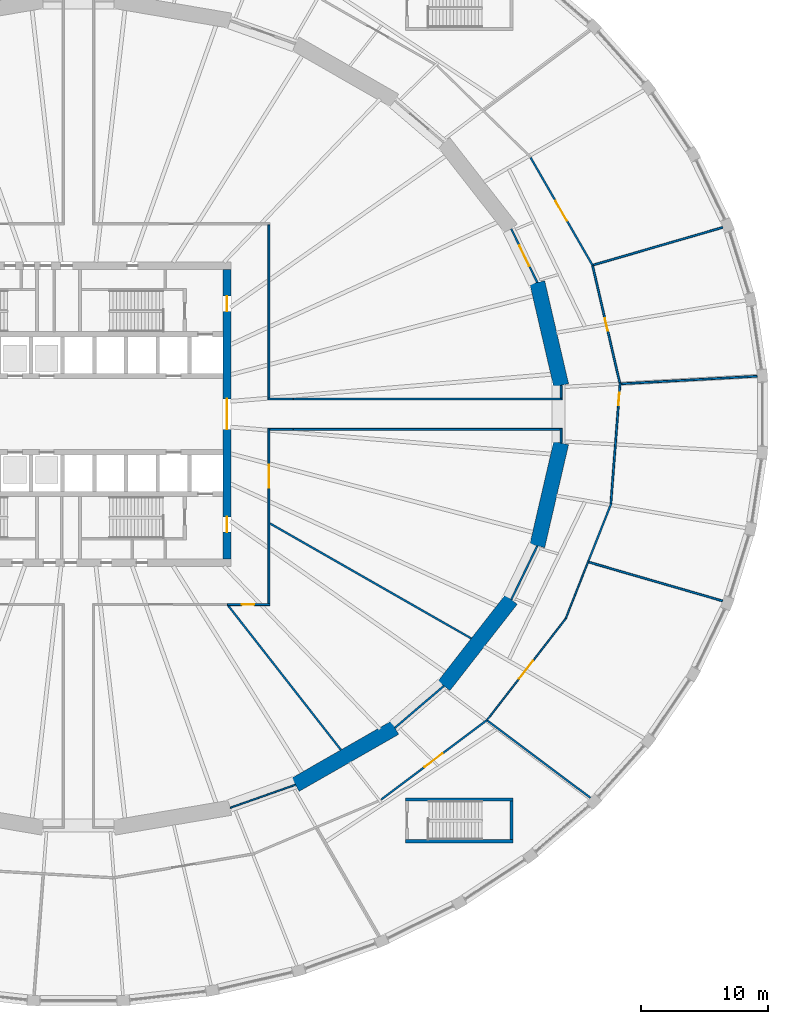
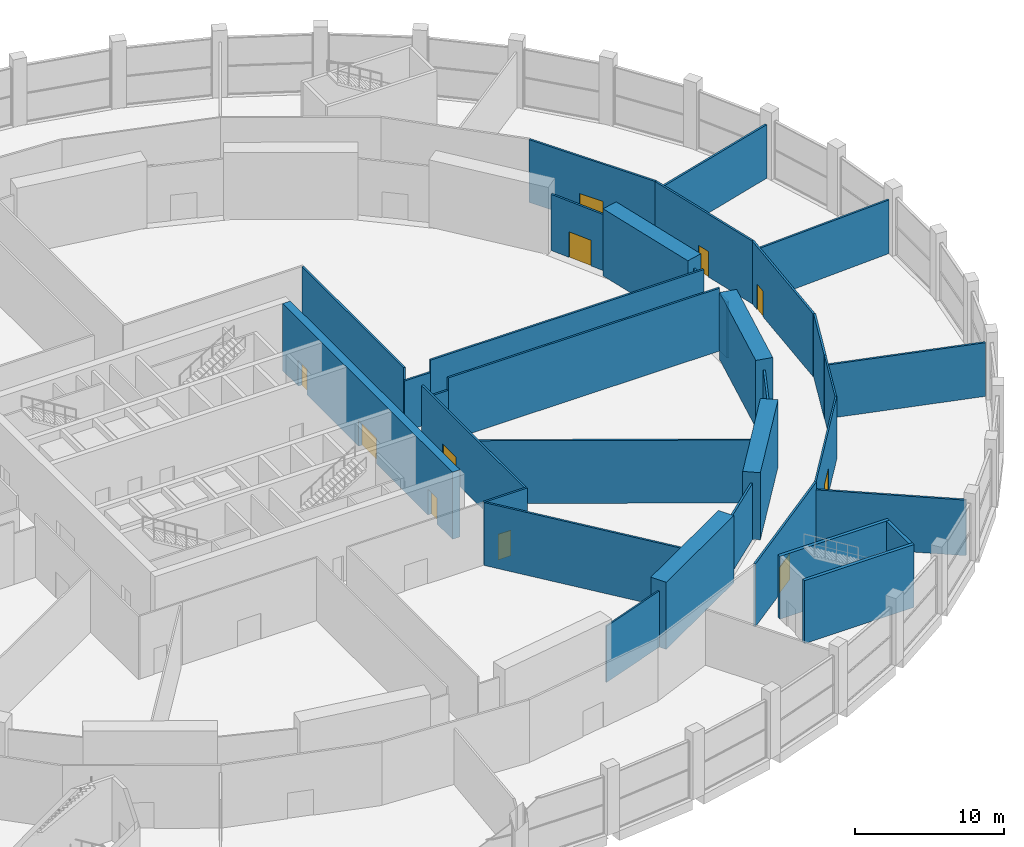
# One storey, part 24 of 29: 34 walls, 11 doors, 11 openings.
"""IFC4 building model written with IfcOpenShell, lengths in metres."""

from ifc_helpers import new_model, si_unit, direction, frame, frame_2d, origin, place, context, subcontext, project, spatial, polyline, rectangle, outline, extrude, material, layer, layer_set, type_object, element, fill, save


model = new_model("IFC4")

# Units and contexts
model_context = context("Model", 3, precision=1e-05, world=origin(), true_north=direction((0.0, 1.0)))
body_context = subcontext(model_context, "Body", "Model", "MODEL_VIEW")
ifc_project = project(units=[si_unit("LENGTHUNIT", "METRE"), si_unit("AREAUNIT", "SQUARE_METRE"), si_unit("VOLUMEUNIT", "CUBIC_METRE"), si_unit("PLANEANGLEUNIT", "RADIAN"), si_unit("MASSUNIT", "GRAM", prefix="KILO")], contexts=[model_context])

# Site, building, storey
site_placement = place(None, origin())
site = spatial("IfcSite", under=ifc_project, at=site_placement, CompositionType="ELEMENT")
building_placement = place(site_placement, origin())
building = spatial("IfcBuilding", under=site, at=building_placement, Name="Halqa Exchange Tower", CompositionType="ELEMENT")
storey_placement = place(building_placement, frame((0.0, 0.0, 7.0)))
storey = spatial("IfcBuildingStorey", under=building, at=storey_placement, Name="L01", CompositionType="ELEMENT", Elevation=7.0)

# Wall
ifc_material_1 = material(Name="Fire-rated gypsum board")
ifc_layer_1 = layer(ifc_material_1, 0.14990234375)
ifc_layer_set_1 = layer_set([ifc_layer_1], Name="Fire-rated gypsum board")
wall_type_1 = type_object("IfcWallType", Name="Fire partition EI 60 150", PredefinedType="PARTITIONING", material=ifc_layer_set_1)
wall_1_placement = place(storey_placement, frame((11.77685546875, -15.06005859375, 0.0), z_axis=(0.0, 0.0, 1.0), x_axis=(0.615846879826, -0.787865864604, 0.0)))
element("IfcWall", 1, at=wall_1_placement, inside=storey, type_object=wall_type_1, Name="L01-PWL-055", PredefinedType="PARTITIONING", context=body_context, shape_type="SweptSolid", body=[
    extrude(outline(polyline([(0.0, -0.074951171875), (14.44580078125, -0.074951171875), (14.46728515625, 0.074951171875), (0.0, 0.074951171875), (0.0, -0.074951171875)])), origin(), (0.0, 0.0, 1.0), 5.14990234375),
])

# Wall, opening, door
wall_2_placement = place(storey_placement, frame((15.074951171875, -15.0, 0.0), z_axis=(0.0, 0.0, 1.0), x_axis=(-1.0, 0.0, 0.0)))
wall_2 = element("IfcWall", 2, at=wall_2_placement, inside=storey, type_object=wall_type_1, Name="L01-PWL-059", PredefinedType="PARTITIONING", context=body_context, shape_type="SweptSolid", body=[
    extrude(rectangle(XDim=3.344970703125, YDim=0.14990234375, at=frame_2d((1.67236328125, 0.0))), origin(), (0.0, 0.0, 1.0), 5.14990234375),
])
opening_1_placement = place(wall_2_placement, frame((1.22509765625, 0.0, 0.0)))
opening_1 = element("IfcOpeningElement", 3, at=opening_1_placement, cuts=wall_2, Name="Opening L01-12", PredefinedType="OPENING", context=body_context, shape_type="SweptSolid", body=[
    extrude(rectangle(XDim=1.0, YDim=2.10009765625, at=frame_2d((0.5, 1.050048828125))), frame((0.0, 0.0869140625, 0.0), z_axis=(0.0, -1.0, 0.0), x_axis=(1.0, 0.0, 0.0)), (0.0, 0.0, 1.0), 0.173828125),
])
ifc_material_2 = material(Name="Steel fire door leaf", Category="steel")
door_type_1 = type_object("IfcDoorType", Name="Fire door FD30S 1000 x 2100", OperationType="SINGLE_SWING_LEFT", PredefinedType="DOOR", material=ifc_material_2)
door_1_placement = place(opening_1_placement, origin())
door_1 = element("IfcDoor", 4, at=door_1_placement, inside=storey, type_object=door_type_1, Name="L01-IDR-012", OperationType="SINGLE_SWING_LEFT", OverallHeight=2.10009765625, OverallWidth=1.0, PredefinedType="DOOR", context=body_context, shape_type="SweptSolid", body=[
    extrude(rectangle(XDim=1.0, YDim=2.10009765625, at=frame_2d((0.5, 1.050048828125))), frame((0.0, 0.02490234375, 0.0), z_axis=(0.0, -1.0, 0.0), x_axis=(1.0, 0.0, 0.0)), (0.0, 0.0, 1.0), 0.050048828125),
])
fill(opening_1, door_1)

wall_3_placement = place(storey_placement, frame((15.0, -14.925048828125, 0.0), z_axis=(0.0, 0.0, 1.0), x_axis=(0.0, 1.0, 0.0)))
wall_3 = element("IfcWall", 5, at=wall_3_placement, inside=storey, type_object=wall_type_1, Name="L01-PWL-060", PredefinedType="PARTITIONING", context=body_context, shape_type="SweptSolid", body=[
    extrude(rectangle(XDim=13.800048828125, YDim=0.14990234375, at=frame_2d((6.89990234375, 0.0))), origin(), (0.0, 0.0, 1.0), 5.14990234375),
])
opening_2_placement = place(wall_3_placement, frame((9.142578125, 0.0, 0.0)))
opening_2 = element("IfcOpeningElement", 6, at=opening_2_placement, cuts=wall_3, Name="Opening L01-13", PredefinedType="OPENING", context=body_context, shape_type="SweptSolid", body=[
    extrude(rectangle(XDim=1.800048828125, YDim=2.10009765625, at=frame_2d((0.89990234375, 1.050048828125))), frame((0.0, 0.0869140625, 0.0), z_axis=(0.0, -1.0, 0.0), x_axis=(1.0, 0.0, 0.0)), (0.0, 0.0, 1.0), 0.173828125),
])
door_type_2 = type_object("IfcDoorType", Name="Fire door FD30S double 1800 x 2100", OperationType="DOUBLE_DOOR_SINGLE_SWING", PredefinedType="DOOR", material=ifc_material_2)
door_2_placement = place(opening_2_placement, frame((1.800048828125, 0.0, 0.0), z_axis=(0.0, 0.0, 1.0), x_axis=(-1.0, 0.0, 0.0)))
door_2 = element("IfcDoor", 7, at=door_2_placement, inside=storey, type_object=door_type_2, Name="L01-IDR-013", OperationType="DOUBLE_DOOR_SINGLE_SWING", OverallHeight=2.10009765625, OverallWidth=1.800048828125, PredefinedType="DOOR", context=body_context, shape_type="SweptSolid", body=[
    extrude(rectangle(XDim=1.800048828125, YDim=2.10009765625, at=frame_2d((0.89990234375, 1.050048828125))), frame((0.0, 0.02490234375, 0.0), z_axis=(0.0, -1.0, 0.0), x_axis=(1.0, 0.0, 0.0)), (0.0, 0.0, 1.0), 0.050048828125),
])
fill(opening_2, door_2)

# Walls
wall_4_placement = place(storey_placement, frame((15.07421875, -8.602294921875, 0.0), z_axis=(0.0, 0.0, 1.0), x_axis=(0.868343386691, -0.495963469209, 0.0)))
element("IfcWall", 8, at=wall_4_placement, inside=storey, type_object=wall_type_1, Name="L01-PWL-061", PredefinedType="PARTITIONING", context=body_context, shape_type="SweptSolid", body=[
    extrude(outline(polyline([(0.042724609375, -0.074951171875), (18.270751953125, -0.074951171875), (18.292236328125, 0.074951171875), (-0.042724609375, 0.074951171875), (0.042724609375, -0.074951171875)])), origin(), (0.0, 0.0, 1.0), 5.14990234375),
])
wall_5_placement = place(storey_placement, frame((14.925048828125, 1.199951171875, 0.0), z_axis=(0.0, 0.0, 1.0), x_axis=(1.0, 0.0, 0.0)))
element("IfcWall", 9, at=wall_5_placement, inside=storey, type_object=wall_type_1, Name="L01-PWL-062", PredefinedType="PARTITIONING", context=body_context, shape_type="SweptSolid", body=[
    extrude(rectangle(XDim=1.992919921875, YDim=0.14990234375, at=frame_2d((0.99658203125, 0.0))), origin(), (0.0, 0.0, 1.0), 4.14208984375),
])
wall_6_placement = place(storey_placement, frame((15.0, 14.925048828125, 0.0), z_axis=(0.0, 0.0, 1.0), x_axis=(0.0, -1.0, 0.0)))
element("IfcWall", 10, at=wall_6_placement, inside=storey, type_object=wall_type_1, Name="L01-PWL-063", PredefinedType="PARTITIONING", context=body_context, shape_type="SweptSolid", body=[
    extrude(rectangle(XDim=13.650146484375, YDim=0.14990234375, at=frame_2d((6.8251953125, 0.0))), origin(), (0.0, 0.0, 1.0), 5.14990234375),
])
wall_7_placement = place(storey_placement, frame((24.931884765625, -24.70849609375, 0.0), z_axis=(0.0, 0.0, 1.0), x_axis=(0.760084552743, 0.649824185978, 0.0)))
element("IfcWall", 11, at=wall_7_placement, inside=storey, type_object=wall_type_1, Name="L01-PWL-068", PredefinedType="PARTITIONING", context=body_context, shape_type="SweptSolid", body=[
    extrude(outline(polyline([(-0.01416015625, -0.074951171875), (5.09033203125, -0.074951171875), (5.0595703125, 0.074951171875), (0.01416015625, 0.074951171875), (-0.01416015625, -0.074951171875)])), origin(), (0.0, 0.0, 1.0), 4.60009765625),
])

# Wall, opening, door
wall_8_placement = place(storey_placement, frame((32.184326171875, -24.09912109375, 0.0), z_axis=(0.0, 0.0, 1.0), x_axis=(-0.799200371747, -0.601064693523, 0.0)))
wall_8 = element("IfcWall", 12, at=wall_8_placement, inside=storey, type_object=wall_type_1, Name="L01-PWL-071", PredefinedType="PARTITIONING", context=body_context, shape_type="SweptSolid", body=[
    extrude(rectangle(XDim=10.41455078125, YDim=0.14990234375, at=frame_2d((5.207275390625, 0.0))), origin(), (0.0, 0.0, 1.0), 5.14990234375),
])
opening_3_placement = place(wall_8_placement, frame((4.366943359375, 0.0, 0.0)))
opening_3 = element("IfcOpeningElement", 13, at=opening_3_placement, cuts=wall_8, Name="Opening L01-17", PredefinedType="OPENING", context=body_context, shape_type="SweptSolid", body=[
    extrude(rectangle(XDim=1.800048828125, YDim=2.10009765625, at=frame_2d((0.89990234375, 1.050048828125))), frame((0.0, 0.0869140625, 0.0), z_axis=(0.0, -1.0, 0.0), x_axis=(1.0, 0.0, 0.0)), (0.0, 0.0, 1.0), 0.173828125),
])
door_3_placement = place(opening_3_placement, origin())
door_3 = element("IfcDoor", 14, at=door_3_placement, inside=storey, type_object=door_type_2, Name="L01-IDR-017", OperationType="DOUBLE_DOOR_SINGLE_SWING", OverallHeight=2.10009765625, OverallWidth=1.800048828125, PredefinedType="DOOR", context=body_context, shape_type="SweptSolid", body=[
    extrude(rectangle(XDim=1.800048828125, YDim=2.10009765625, at=frame_2d((0.89990234375, 1.050048828125))), frame((0.0, 0.02490234375, 0.0), z_axis=(0.0, -1.0, 0.0), x_axis=(1.0, 0.0, 0.0)), (0.0, 0.0, 1.0), 0.050048828125),
])
fill(opening_3, door_3)

# Walls
wall_9_placement = place(storey_placement, frame((32.219970703125, -24.1474609375, 0.0), z_axis=(0.0, 0.0, 1.0), x_axis=(0.800470661187, -0.599371938431, 0.0)))
element("IfcWall", 15, at=wall_9_placement, inside=storey, type_object=wall_type_1, Name="L01-PWL-072", PredefinedType="PARTITIONING", context=body_context, shape_type="SweptSolid", body=[
    extrude(outline(polyline([(0.0, -0.074951171875), (10.129150390625, -0.074951171875), (10.152587890625, 0.074951171875), (0.0, 0.074951171875), (0.0, -0.074951171875)])), origin(), (0.0, 0.0, 1.0), 4.550048828125),
])
wall_10_placement = place(storey_placement, frame((34.1005859375, -14.608642578125, 0.0), z_axis=(0.0, 0.0, 1.0), x_axis=(0.436102687495, 0.899896908518, 0.0)))
element("IfcWall", 16, at=wall_10_placement, inside=storey, type_object=wall_type_1, Name="L01-PWL-073", PredefinedType="PARTITIONING", context=body_context, shape_type="SweptSolid", body=[
    extrude(outline(polyline([(-0.01611328125, -0.074951171875), (4.71630859375, -0.074951171875), (4.68212890625, 0.074951171875), (0.01611328125, 0.074951171875), (-0.01611328125, -0.074951171875)])), origin(), (0.0, 0.0, 1.0), 4.60009765625),
])

# Wall, opening, door
wall_11_placement = place(storey_placement, frame((35.623779296875, 20.21630859375, 0.0), z_axis=(0.0, 0.0, 1.0), x_axis=(0.498658302921, -0.866798648434, 0.0)))
wall_11 = element("IfcWall", 17, at=wall_11_placement, inside=storey, type_object=wall_type_1, Name="L01-PWL-074", PredefinedType="PARTITIONING", context=body_context, shape_type="SweptSolid", body=[
    extrude(rectangle(XDim=9.8017578125, YDim=0.14990234375, at=frame_2d((4.90087890625, 0.0))), origin(), (0.0, 0.0, 1.0), 5.14990234375),
])
opening_4_placement = place(wall_11_placement, frame((3.935302734375, 0.0, 0.0)))
opening_4 = element("IfcOpeningElement", 18, at=opening_4_placement, cuts=wall_11, Name="Opening L01-19", PredefinedType="OPENING", context=body_context, shape_type="SweptSolid", body=[
    extrude(rectangle(XDim=1.800048828125, YDim=2.10009765625, at=frame_2d((0.89990234375, 1.050048828125))), frame((0.0, 0.0869140625, 0.0), z_axis=(0.0, -1.0, 0.0), x_axis=(1.0, 0.0, 0.0)), (0.0, 0.0, 1.0), 0.173828125),
])
door_4_placement = place(opening_4_placement, origin())
door_4 = element("IfcDoor", 19, at=door_4_placement, inside=storey, type_object=door_type_2, Name="L01-IDR-019", OperationType="DOUBLE_DOOR_SINGLE_SWING", OverallHeight=2.10009765625, OverallWidth=1.800048828125, PredefinedType="DOOR", context=body_context, shape_type="SweptSolid", body=[
    extrude(rectangle(XDim=1.800048828125, YDim=2.10009765625, at=frame_2d((0.89990234375, 1.050048828125))), frame((0.0, 0.02490234375, 0.0), z_axis=(0.0, -1.0, 0.0), x_axis=(1.0, 0.0, 0.0)), (0.0, 0.0, 1.0), 0.050048828125),
])
fill(opening_4, door_4)

wall_12_placement = place(storey_placement, frame((36.14990234375, 10.3798828125, 0.0), z_axis=(0.0, 0.0, 1.0), x_axis=(-0.436936398764, 0.899492403212, 0.0)))
wall_12 = element("IfcWall", 20, at=wall_12_placement, inside=storey, type_object=wall_type_1, Name="L01-PWL-075", PredefinedType="PARTITIONING", context=body_context, shape_type="SweptSolid", body=[
    extrude(outline(polyline([(-0.01708984375, -0.074951171875), (4.7138671875, -0.074951171875), (4.68212890625, 0.074951171875), (0.01708984375, 0.074951171875), (-0.01708984375, -0.074951171875)])), origin(), (0.0, 0.0, 1.0), 4.60009765625),
])
opening_5_placement = place(wall_12_placement, frame((1.44580078125, 0.0, 0.0)))
opening_5 = element("IfcOpeningElement", 21, at=opening_5_placement, cuts=wall_12, Name="Opening L01-02", PredefinedType="OPENING", context=body_context, shape_type="SweptSolid", body=[
    extrude(rectangle(XDim=1.800048828125, YDim=2.10009765625, at=frame_2d((0.89990234375, 1.050048828125))), frame((0.0, 0.0869140625, 0.0), z_axis=(0.0, -1.0, 0.0), x_axis=(1.0, 0.0, 0.0)), (0.0, 0.0, 1.0), 0.173828125),
])
door_5_placement = place(opening_5_placement, origin())
door_5 = element("IfcDoor", 22, at=door_5_placement, inside=storey, type_object=door_type_2, Name="L01-IDR-002", OperationType="DOUBLE_DOOR_SINGLE_SWING", OverallHeight=2.10009765625, OverallWidth=1.800048828125, PredefinedType="DOOR", context=body_context, shape_type="SweptSolid", body=[
    extrude(rectangle(XDim=1.800048828125, YDim=2.10009765625, at=frame_2d((0.89990234375, 1.050048828125))), frame((0.0, 0.02490234375, 0.0), z_axis=(0.0, -1.0, 0.0), x_axis=(1.0, 0.0, 0.0)), (0.0, 0.0, 1.0), 0.050048828125),
])
fill(opening_5, door_5)

# Walls
wall_13_placement = place(storey_placement, frame((38.030029296875, -2.267578125, 0.0), z_axis=(0.0, 0.0, 1.0), x_axis=(0.0, 1.0, 0.0)))
element("IfcWall", 23, at=wall_13_placement, inside=storey, type_object=wall_type_1, Name="L01-PWL-076", PredefinedType="PARTITIONING", context=body_context, shape_type="SweptSolid", body=[
    extrude(outline(polyline([(-0.017333984375, -0.074951171875), (1.142578125, -0.074951171875), (1.142578125, 0.074951171875), (0.017333984375, 0.074951171875), (-0.017333984375, -0.074951171875)])), origin(), (0.0, 0.0, 1.0), 4.60009765625),
])
wall_14_placement = place(storey_placement, frame((37.955078125, -1.199951171875, 0.0), z_axis=(0.0, 0.0, 1.0), x_axis=(-1.0, 0.0, 0.0)))
element("IfcWall", 24, at=wall_14_placement, inside=storey, type_object=wall_type_1, Name="L01-PWL-077", PredefinedType="PARTITIONING", context=body_context, shape_type="SweptSolid", body=[
    extrude(rectangle(XDim=21.037109375, YDim=0.14990234375, at=frame_2d((10.5185546875, 0.0))), origin(), (0.0, 0.0, 1.0), 5.14990234375),
])
wall_15_placement = place(storey_placement, frame((38.030029296875, 1.27490234375, 0.0), z_axis=(0.0, 0.0, 1.0), x_axis=(0.0, 1.0, 0.0)))
element("IfcWall", 25, at=wall_15_placement, inside=storey, type_object=wall_type_1, Name="L01-PWL-078", PredefinedType="PARTITIONING", context=body_context, shape_type="SweptSolid", body=[
    extrude(outline(polyline([(0.0, -0.074951171875), (1.010009765625, -0.074951171875), (0.975341796875, 0.074951171875), (0.0, 0.074951171875), (0.0, -0.074951171875)])), origin(), (0.0, 0.0, 1.0), 4.60009765625),
])
wall_16_placement = place(storey_placement, frame((40.14990234375, -11.639892578125, 0.0), z_axis=(0.0, 0.0, 1.0), x_axis=(0.36892788281, 0.929458023412, 0.0)))
element("IfcWall", 26, at=wall_16_placement, inside=storey, type_object=wall_type_1, Name="L01-PWL-081", PredefinedType="PARTITIONING", context=body_context, shape_type="SweptSolid", body=[
    extrude(rectangle(XDim=4.959228515625, YDim=0.14990234375, at=frame_2d((2.4794921875, 0.0))), origin(), (0.0, 0.0, 1.0), 5.14990234375),
])
wall_17_placement = place(storey_placement, frame((40.2080078125, -11.65673828125, 0.0), z_axis=(0.0, 0.0, 1.0), x_axis=(0.960435730908, -0.278501717759, 0.0)))
element("IfcWall", 27, at=wall_17_placement, inside=storey, type_object=wall_type_1, Name="L01-PWL-082", PredefinedType="PARTITIONING", context=body_context, shape_type="SweptSolid", body=[
    extrude(outline(polyline([(0.0, -0.074951171875), (10.9892578125, -0.074951171875), (11.00341796875, 0.074951171875), (0.0, 0.074951171875), (0.0, -0.074951171875)])), origin(), (0.0, 0.0, 1.0), 4.39697265625),
])

# Wall, opening, door
wall_18_placement = place(storey_placement, frame((40.50537109375, 11.717041015625, 0.0), z_axis=(0.0, 0.0, 1.0), x_axis=(0.226066375297, -0.974111900122, 0.0)))
wall_18 = element("IfcWall", 28, at=wall_18_placement, inside=storey, type_object=wall_type_1, Name="L01-PWL-084", PredefinedType="PARTITIONING", context=body_context, shape_type="SweptSolid", body=[
    extrude(rectangle(XDim=9.601806640625, YDim=0.14990234375, at=frame_2d((4.80078125, 0.0))), origin(), (0.0, 0.0, 1.0), 5.14990234375),
])
opening_6_placement = place(wall_18_placement, frame((4.27587890625, 0.0, 0.0)))
opening_6 = element("IfcOpeningElement", 29, at=opening_6_placement, cuts=wall_18, Name="Opening L01-18", PredefinedType="OPENING", context=body_context, shape_type="SweptSolid", body=[
    extrude(rectangle(XDim=1.0, YDim=2.10009765625, at=frame_2d((0.5, 1.050048828125))), frame((0.0, 0.0869140625, 0.0), z_axis=(0.0, -1.0, 0.0), x_axis=(1.0, 0.0, 0.0)), (0.0, 0.0, 1.0), 0.173828125),
])
door_6_placement = place(opening_6_placement, origin())
door_6 = element("IfcDoor", 30, at=door_6_placement, inside=storey, type_object=door_type_1, Name="L01-IDR-018", OperationType="SINGLE_SWING_LEFT", OverallHeight=2.10009765625, OverallWidth=1.0, PredefinedType="DOOR", context=body_context, shape_type="SweptSolid", body=[
    extrude(rectangle(XDim=1.0, YDim=2.10009765625, at=frame_2d((0.5, 1.050048828125))), frame((0.0, 0.02490234375, 0.0), z_axis=(0.0, -1.0, 0.0), x_axis=(1.0, 0.0, 0.0)), (0.0, 0.0, 1.0), 0.050048828125),
])
fill(opening_6, door_6)

# Wall
wall_19_placement = place(storey_placement, frame((40.573486328125, 11.76123046875, 0.0), z_axis=(0.0, 0.0, 1.0), x_axis=(0.960398251087, 0.278630937459, 0.0)))
element("IfcWall", 31, at=wall_19_placement, inside=storey, type_object=wall_type_1, Name="L01-PWL-085", PredefinedType="PARTITIONING", context=body_context, shape_type="SweptSolid", body=[
    extrude(outline(polyline([(0.0, -0.074951171875), (10.623291015625, -0.074951171875), (10.609130859375, 0.074951171875), (0.0, 0.074951171875), (0.0, -0.074951171875)])), origin(), (0.0, 0.0, 1.0), 4.39697265625),
])

# Wall, opening, door
wall_20_placement = place(storey_placement, frame((41.948486328125, -7.018798828125, 0.0), z_axis=(0.0, 0.0, 1.0), x_axis=(0.076460967433, 0.997072575322, 0.0)))
wall_20 = element("IfcWall", 32, at=wall_20_placement, inside=storey, type_object=wall_type_1, Name="L01-PWL-086", PredefinedType="PARTITIONING", context=body_context, shape_type="SweptSolid", body=[
    extrude(rectangle(XDim=9.511962890625, YDim=0.14990234375, at=frame_2d((4.755859375, 0.0))), origin(), (0.0, 0.0, 1.0), 5.14990234375),
])
opening_7_placement = place(wall_20_placement, frame((7.73779296875, 0.0, 0.0)))
opening_7 = element("IfcOpeningElement", 33, at=opening_7_placement, cuts=wall_20, Name="Opening L01-28", PredefinedType="OPENING", context=body_context, shape_type="SweptSolid", body=[
    extrude(rectangle(XDim=1.0, YDim=2.10009765625, at=frame_2d((0.5, 1.050048828125))), frame((0.0, 0.0869140625, 0.0), z_axis=(0.0, -1.0, 0.0), x_axis=(1.0, 0.0, 0.0)), (0.0, 0.0, 1.0), 0.173828125),
])
door_7_placement = place(opening_7_placement, frame((1.0, 0.0, 0.0), z_axis=(0.0, 0.0, 1.0), x_axis=(-1.0, 0.0, 0.0)))
door_7 = element("IfcDoor", 34, at=door_7_placement, inside=storey, type_object=door_type_1, Name="L01-IDR-028", OperationType="SINGLE_SWING_RIGHT", OverallHeight=2.10009765625, OverallWidth=1.0, PredefinedType="DOOR", context=body_context, shape_type="SweptSolid", body=[
    extrude(rectangle(XDim=1.0, YDim=2.10009765625, at=frame_2d((0.5, 1.050048828125))), frame((0.0, 0.02490234375, 0.0), z_axis=(0.0, -1.0, 0.0), x_axis=(1.0, 0.0, 0.0)), (0.0, 0.0, 1.0), 0.050048828125),
])
fill(opening_7, door_7)

# Walls
wall_21_placement = place(storey_placement, frame((53.48681640625, 2.991943359375, 0.0), z_axis=(0.0, 0.0, 1.0), x_axis=(-0.998455601215, -0.055555489403, 0.0)))
element("IfcWall", 35, at=wall_21_placement, inside=storey, type_object=wall_type_1, Name="L01-PWL-087", PredefinedType="PARTITIONING", context=body_context, shape_type="SweptSolid", body=[
    extrude(outline(polyline([(0.00146484375, -0.074951171875), (10.7578125, -0.074951171875), (10.7578125, 0.074951171875), (-0.00146484375, 0.074951171875), (0.00146484375, -0.074951171875)])), origin(), (0.0, 0.0, 1.0), 4.39697265625),
])
wall_22_placement = place(storey_placement, frame((16.91796875, 1.199951171875, 0.0), z_axis=(0.0, 0.0, 1.0), x_axis=(1.0, 0.0, 0.0)))
element("IfcWall", 36, at=wall_22_placement, inside=storey, type_object=wall_type_1, Name="L01-PWL-090", PredefinedType="PARTITIONING", context=body_context, shape_type="SweptSolid", body=[
    extrude(rectangle(XDim=21.18701171875, YDim=0.14990234375, at=frame_2d((10.593505859375, 0.0))), origin(), (0.0, 0.0, 1.0), 5.14990234375),
])
wall_23_placement = place(storey_placement, frame((16.91796875, -1.199951171875, 0.0), z_axis=(0.0, 0.0, 1.0), x_axis=(-1.0, 0.0, 0.0)))
element("IfcWall", 37, at=wall_23_placement, inside=storey, type_object=wall_type_1, Name="L01-PWL-091", PredefinedType="PARTITIONING", context=body_context, shape_type="SweptSolid", body=[
    extrude(rectangle(XDim=1.843017578125, YDim=0.14990234375, at=frame_2d((0.92138671875, 0.0))), origin(), (0.0, 0.0, 1.0), 4.14208984375),
])
ifc_material_3 = material(Name="Fire-rated glazing", Category="glass")
ifc_layer_2 = layer(ifc_material_3, 0.1201171875)
ifc_layer_set_2 = layer_set([ifc_layer_2], Name="Fire-rated glazing")
wall_type_2 = type_object("IfcWallType", Name="Glazed fire partition EI 60 120", PredefinedType="PARTITIONING", material=ifc_layer_set_2)
wall_24_placement = place(storey_placement, frame((11.966796875, -31.01123046875, 0.0), z_axis=(0.0, 0.0, 1.0), x_axis=(0.942814385805, 0.333318217204, 0.0)))
element("IfcWall", 38, at=wall_24_placement, inside=storey, type_object=wall_type_2, Name="L01-PWL-056", PredefinedType="PARTITIONING", context=body_context, shape_type="SweptSolid", body=[
    extrude(outline(polyline([(-0.01025390625, -0.06005859375), (5.44580078125, -0.06005859375), (5.423828125, 0.06005859375), (0.01025390625, 0.06005859375), (-0.01025390625, -0.06005859375)])), origin(), (0.0, 0.0, 1.0), 4.60009765625),
])

# Wall, opening, door
wall_25_placement = place(storey_placement, frame((38.410888671875, -16.094482421875, 0.0), z_axis=(0.0, 0.0, 1.0), x_axis=(-0.614343896728, -0.78903838725, 0.0)))
wall_25 = element("IfcWall", 39, at=wall_25_placement, inside=storey, type_object=wall_type_2, Name="L01-PWL-079", PredefinedType="PARTITIONING", context=body_context, shape_type="SweptSolid", body=[
    extrude(rectangle(XDim=10.140380859375, YDim=0.1201171875, at=frame_2d((5.0703125, 0.0))), origin(), (0.0, 0.0, 1.0), 5.14990234375),
])
opening_8_placement = place(wall_25_placement, frame((4.220703125, 0.0, 0.0)))
opening_8 = element("IfcOpeningElement", 40, at=opening_8_placement, cuts=wall_25, Name="Opening L01-27", PredefinedType="OPENING", context=body_context, shape_type="SweptSolid", body=[
    extrude(rectangle(XDim=1.800048828125, YDim=2.10009765625, at=frame_2d((0.89990234375, 1.050048828125))), frame((0.0, 0.072021484375, 0.0), z_axis=(0.0, -1.0, 0.0), x_axis=(1.0, 0.0, 0.0)), (0.0, 0.0, 1.0), 0.14404296875),
])
door_8_placement = place(opening_8_placement, origin())
door_8 = element("IfcDoor", 41, at=door_8_placement, inside=storey, type_object=door_type_2, Name="L01-IDR-027", OperationType="DOUBLE_DOOR_SINGLE_SWING", OverallHeight=2.10009765625, OverallWidth=1.800048828125, PredefinedType="DOOR", context=body_context, shape_type="SweptSolid", body=[
    extrude(rectangle(XDim=1.800048828125, YDim=2.10009765625, at=frame_2d((0.89990234375, 1.050048828125))), frame((0.0, 0.02490234375, 0.0), z_axis=(0.0, -1.0, 0.0), x_axis=(1.0, 0.0, 0.0)), (0.0, 0.0, 1.0), 0.050048828125),
])
fill(opening_8, door_8)

# Wall
wall_26_placement = place(storey_placement, frame((38.3916015625, -16.08056640625, 0.0), z_axis=(0.0, 0.0, 1.0), x_axis=(0.368178065121, 0.929755297035, 0.0)))
element("IfcWall", 42, at=wall_26_placement, inside=storey, type_object=wall_type_2, Name="L01-PWL-080", PredefinedType="PARTITIONING", context=body_context, shape_type="SweptSolid", body=[
    extrude(rectangle(XDim=4.851318359375, YDim=0.1201171875, at=frame_2d((2.42578125, 0.0))), origin(), (0.0, 0.0, 1.0), 5.14990234375),
])

# Wall, openings, doors
ifc_material_4 = material(Name="Concrete C80/95", Category="concrete")
ifc_layer_3 = layer(ifc_material_4, 0.60009765625)
ifc_layer_set_3 = layer_set([ifc_layer_3], Name="Concrete C80/95")
wall_type_3 = type_object("IfcWallType", Name="RC core wall 600 C80/95", PredefinedType="SHEAR", material=ifc_layer_set_3)
wall_27_placement = place(storey_placement, frame((11.699951171875, -11.39990234375, 0.0), z_axis=(0.0, 0.0, 1.0), x_axis=(0.0, 1.0, 0.0)))
wall_27 = element("IfcWall", 43, at=wall_27_placement, inside=storey, type_object=wall_type_3, Name="Core wall east", PredefinedType="SHEAR", context=body_context, shape_type="SweptSolid", body=[
    extrude(rectangle(XDim=22.7998046875, YDim=0.60009765625, at=frame_2d((11.39990234375, 0.0))), origin(), (0.0, 0.0, 1.0), 5.5),
])
opening_9_placement = place(wall_27_placement, frame((10.199951171875, 0.0, 0.0)))
opening_9 = element("IfcOpeningElement", 44, at=opening_9_placement, cuts=wall_27, Name="Opening L01-C14", PredefinedType="OPENING", context=body_context, shape_type="SweptSolid", body=[
    extrude(rectangle(XDim=2.39990234375, YDim=2.10009765625, at=frame_2d((1.199951171875, 1.050048828125))), frame((0.0, 0.31201171875, 0.0), z_axis=(0.0, -1.0, 0.0), x_axis=(1.0, 0.0, 0.0)), (0.0, 0.0, 1.0), 0.6240234375),
])
opening_10_placement = place(wall_27_placement, frame((19.5, 0.0, 0.0)))
opening_10 = element("IfcOpeningElement", 45, at=opening_10_placement, cuts=wall_27, Name="Opening L01-C23", PredefinedType="OPENING", context=body_context, shape_type="SweptSolid", body=[
    extrude(rectangle(XDim=1.199951171875, YDim=2.10009765625, at=frame_2d((0.60009765625, 1.050048828125))), frame((0.0, 0.31201171875, 0.0), z_axis=(0.0, -1.0, 0.0), x_axis=(1.0, 0.0, 0.0)), (0.0, 0.0, 1.0), 0.6240234375),
])
opening_11_placement = place(wall_27_placement, frame((2.10009765625, 0.0, 0.0)))
opening_11 = element("IfcOpeningElement", 46, at=opening_11_placement, cuts=wall_27, Name="Opening L01-C24", PredefinedType="OPENING", context=body_context, shape_type="SweptSolid", body=[
    extrude(rectangle(XDim=1.199951171875, YDim=2.10009765625, at=frame_2d((0.60009765625, 1.050048828125))), frame((0.0, 0.31201171875, 0.0), z_axis=(0.0, -1.0, 0.0), x_axis=(1.0, 0.0, 0.0)), (0.0, 0.0, 1.0), 0.6240234375),
])
door_type_3 = type_object("IfcDoorType", Name="Firefighting lobby door FD90 1200 x 2100", OperationType="SINGLE_SWING_RIGHT", PredefinedType="DOOR", material=ifc_material_2)
door_9_placement = place(opening_10_placement, origin())
door_9 = element("IfcDoor", 47, at=door_9_placement, inside=storey, type_object=door_type_3, Name="Firefighting lobby door", OperationType="SINGLE_SWING_RIGHT", OverallHeight=2.10009765625, OverallWidth=1.199951171875, PredefinedType="DOOR", context=body_context, shape_type="SweptSolid", body=[
    extrude(rectangle(XDim=1.199951171875, YDim=2.10009765625, at=frame_2d((0.60009765625, 1.050048828125))), frame((0.0, 0.02490234375, 0.0), z_axis=(0.0, -1.0, 0.0), x_axis=(1.0, 0.0, 0.0)), (0.0, 0.0, 1.0), 0.050048828125),
])
fill(opening_10, door_9)
door_10_placement = place(opening_11_placement, origin())
door_10 = element("IfcDoor", 48, at=door_10_placement, inside=storey, type_object=door_type_3, Name="Firefighting lobby door", OperationType="SINGLE_SWING_LEFT", OverallHeight=2.10009765625, OverallWidth=1.199951171875, PredefinedType="DOOR", context=body_context, shape_type="SweptSolid", body=[
    extrude(rectangle(XDim=1.199951171875, YDim=2.10009765625, at=frame_2d((0.60009765625, 1.050048828125))), frame((0.0, 0.02490234375, 0.0), z_axis=(0.0, -1.0, 0.0), x_axis=(1.0, 0.0, 0.0)), (0.0, 0.0, 1.0), 0.050048828125),
])
fill(opening_11, door_10)
door_type_4 = type_object("IfcDoorType", Name="Lobby double door FD60 2400 x 2100", OperationType="DOUBLE_DOOR_SINGLE_SWING", PredefinedType="DOOR", material=ifc_material_2)
door_11_placement = place(opening_9_placement, frame((2.39990234375, 0.0, 0.0), z_axis=(0.0, 0.0, 1.0), x_axis=(-1.0, 0.0, 0.0)))
door_11 = element("IfcDoor", 49, at=door_11_placement, inside=storey, type_object=door_type_4, Name="Lift lobby double door", OperationType="DOUBLE_DOOR_SINGLE_SWING", OverallHeight=2.10009765625, OverallWidth=2.39990234375, PredefinedType="DOOR", context=body_context, shape_type="SweptSolid", body=[
    extrude(rectangle(XDim=2.39990234375, YDim=2.10009765625, at=frame_2d((1.199951171875, 1.050048828125))), frame((0.0, 0.02490234375, 0.0), z_axis=(0.0, -1.0, 0.0), x_axis=(1.0, 0.0, 0.0)), (0.0, 0.0, 1.0), 0.050048828125),
])
fill(opening_9, door_11)

# Walls
ifc_layer_4 = layer(ifc_material_4, 1.199951171875)
ifc_layer_set_4 = layer_set([ifc_layer_4], Name="Concrete C80/95")
wall_type_4 = type_object("IfcWallType", Name="RC ring pier 1200 C80/95", PredefinedType="SHEAR", material=ifc_layer_set_4)
wall_28_placement = place(storey_placement, frame((38.03173828125, 2.26708984375, 0.0), z_axis=(0.0, 0.0, 1.0), x_axis=(-0.226058185805, 0.974113800657, 0.0)))
element("IfcWall", 50, at=wall_28_placement, inside=storey, type_object=wall_type_4, Name="Ring pier 1", PredefinedType="SHEAR", context=body_context, shape_type="SweptSolid", body=[
    extrude(rectangle(XDim=8.328857421875, YDim=1.199951171875, at=frame_2d((4.16455078125, 0.0))), origin(), (0.0, 0.0, 1.0), 5.5),
])
wall_29_placement = place(storey_placement, frame((17.088623046875, -29.197509765625, 0.0), z_axis=(0.0, 0.0, 1.0), x_axis=(0.867760656864, 0.496982336103, 0.0)))
element("IfcWall", 51, at=wall_29_placement, inside=storey, type_object=wall_type_4, Name="Ring pier 14", PredefinedType="SHEAR", context=body_context, shape_type="SweptSolid", body=[
    extrude(rectangle(XDim=9.037841796875, YDim=1.199951171875, at=frame_2d((4.51904296875, 0.0))), origin(), (0.0, 0.0, 1.0), 5.5),
])
wall_30_placement = place(storey_placement, frame((28.790283203125, -21.412353515625, 0.0), z_axis=(0.0, 0.0, 1.0), x_axis=(0.614825322247, 0.788663314174, 0.0)))
element("IfcWall", 52, at=wall_30_placement, inside=storey, type_object=wall_type_4, Name="Ring pier 15", PredefinedType="SHEAR", context=body_context, shape_type="SweptSolid", body=[
    extrude(rectangle(XDim=8.631591796875, YDim=1.199951171875, at=frame_2d((4.31591796875, 0.0))), origin(), (0.0, 0.0, 1.0), 5.5),
])
wall_31_placement = place(storey_placement, frame((36.14892578125, -10.38037109375, 0.0), z_axis=(0.0, 0.0, 1.0), x_axis=(0.226058185805, 0.974113800657, 0.0)))
element("IfcWall", 53, at=wall_31_placement, inside=storey, type_object=wall_type_4, Name="Ring pier 16", PredefinedType="SHEAR", context=body_context, shape_type="SweptSolid", body=[
    extrude(rectangle(XDim=8.328857421875, YDim=1.199951171875, at=frame_2d((4.16455078125, 0.0))), origin(), (0.0, 0.0, 1.0), 5.5),
])
ifc_material_5 = material(Name="Concrete C30/37", Category="concrete")
ifc_layer_5 = layer(ifc_material_5, 0.25)
ifc_layer_set_5 = layer_set([ifc_layer_5], Name="Concrete C30/37")
wall_type_5 = type_object("IfcWallType", Name="RC stair wall 250 C30/37", PredefinedType="SHEAR", material=ifc_layer_set_5)
for number, where, z_axis, x_axis, name in (
    (54, (25.75, -30.35009765625, 0.0), (0.0, 0.0, 1.0), (1.0, 0.0, 0.0), "Stair PS2 wall north"),
    (55, (25.75, -33.64990234375, 0.0), (0.0, 0.0, 1.0), (1.0, 0.0, 0.0), "Stair PS2 wall south"),
):
    element("IfcWall", number, at=place(storey_placement, frame(where, z_axis=z_axis, x_axis=x_axis)), inside=storey, type_object=wall_type_5, Name=name, PredefinedType="SHEAR", context=body_context, shape_type="SweptSolid", body=[
        extrude(rectangle(XDim=8.5, YDim=0.25, at=frame_2d((4.25, 0.0))), origin(), (0.0, 0.0, 1.0), 5.14990234375),
    ])
wall_32_placement = place(storey_placement, frame((34.125, -33.52490234375, 0.0), z_axis=(0.0, 0.0, 1.0), x_axis=(0.0, 1.0, 0.0)))
element("IfcWall", 56, at=wall_32_placement, inside=storey, type_object=wall_type_5, Name="Stair PS2 wall east", PredefinedType="SHEAR", context=body_context, shape_type="SweptSolid", body=[
    extrude(rectangle(XDim=3.0498046875, YDim=0.25, at=frame_2d((1.52490234375, 0.0))), origin(), (0.0, 0.0, 1.0), 5.14990234375),
])

save(model, "model.ifc")
